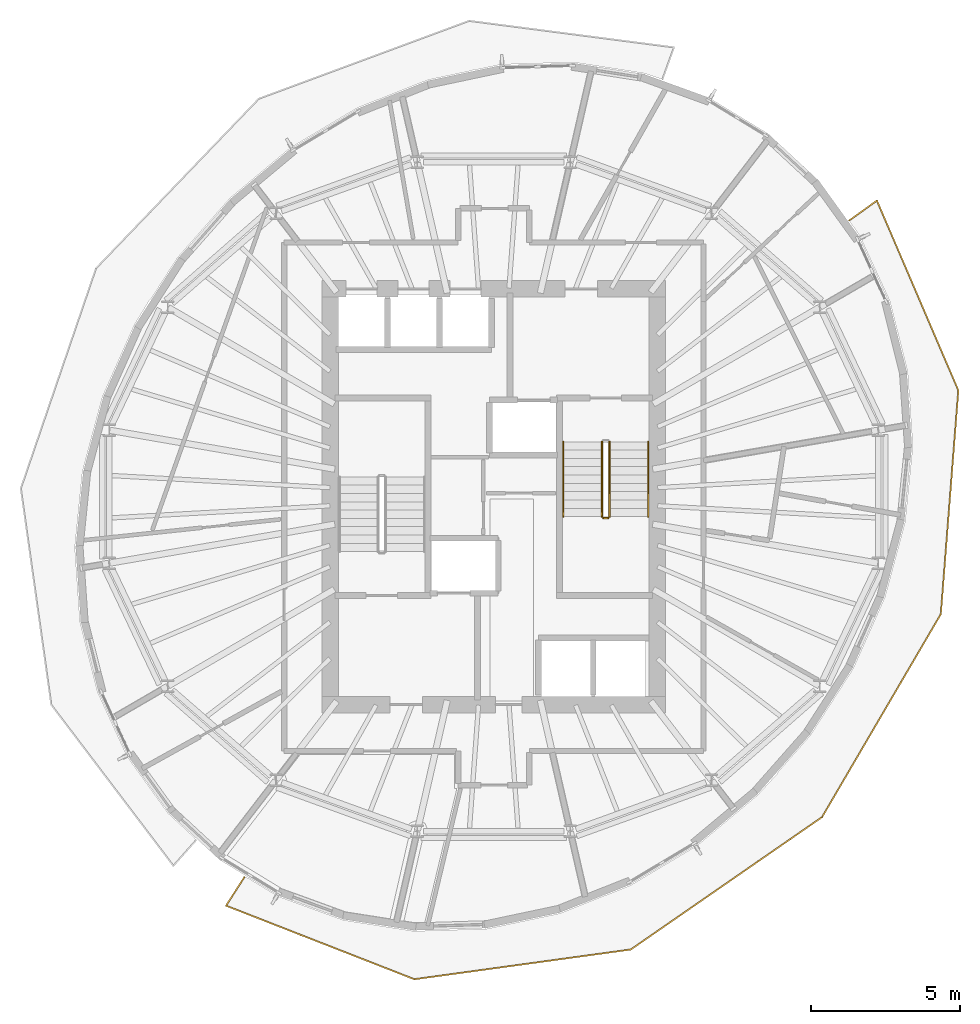
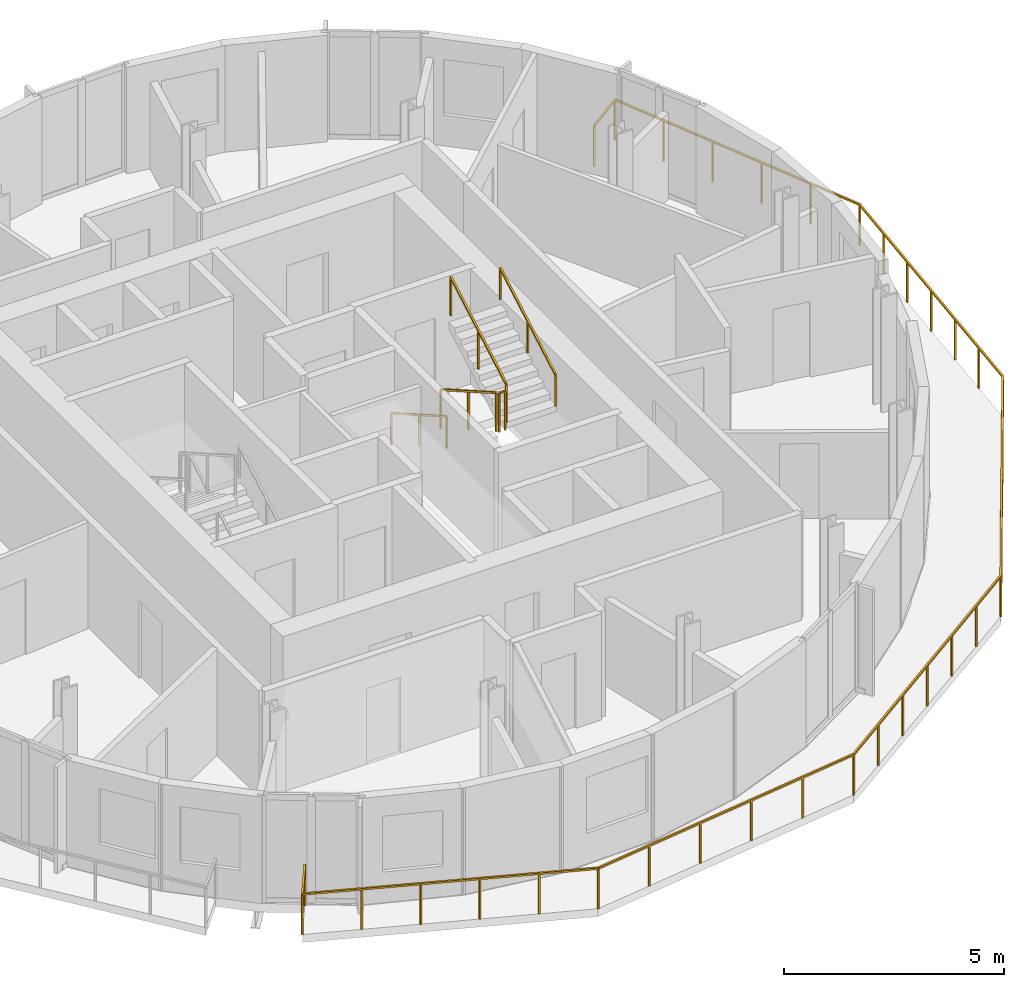
# One storey, part 9 of 11: 6 railings.
"""IFC4 building model written with IfcOpenShell, lengths in metres."""

from ifc_helpers import new_model, si_unit, direction, frame, origin, origin_2d, place, context, subcontext, project, spatial, rectangle, extrude, material, type_object, element, save


model = new_model("IFC4")

# Units and contexts
model_context = context("Model", 3, precision=1e-05, world=origin(), true_north=direction((0.0, 1.0)))
body_context = subcontext(model_context, "Body", "Model", "MODEL_VIEW")
ifc_project = project(units=[si_unit("LENGTHUNIT", "METRE"), si_unit("AREAUNIT", "SQUARE_METRE"), si_unit("VOLUMEUNIT", "CUBIC_METRE"), si_unit("PLANEANGLEUNIT", "RADIAN"), si_unit("MASSUNIT", "GRAM", prefix="KILO")], contexts=[model_context])

# Site, building, storey
site_placement = place(None, origin())
site = spatial("IfcSite", under=ifc_project, at=site_placement, CompositionType="ELEMENT")
building_placement = place(site_placement, origin())
building = spatial("IfcBuilding", under=site, at=building_placement, Name="Veldorim Arch Residences", CompositionType="ELEMENT")
storey_placement = place(building_placement, frame((0.0, 0.0, 211.0400390625)))
storey = spatial("IfcBuildingStorey", under=building, at=storey_placement, Name="L63", CompositionType="ELEMENT", Elevation=211.0400390625)

# Railings
ifc_material_1 = material(Name="Aluminium", Category="aluminium")
railing_type_1 = type_object("IfcRailingType", Name="Balcony & Terrace Laminated Glass Balustrade 1150", PredefinedType="BALUSTRADE", material=ifc_material_1)
railing_1_placement = place(storey_placement, frame((23.605712890625, 11.197509765625, 0.0)))
element("IfcRailing", 1, at=railing_1_placement, inside=storey, type_object=railing_type_1, Name="L63 crescent balcony safety balustrade B", PredefinedType="BALUSTRADE", context=body_context, shape_type="SweptSolid", body=[
    extrude(rectangle(XDim=0.048095703125, YDim=0.048095703125, at=origin_2d()), frame((0.0, 0.0, 1.1259765625), z_axis=(-0.539866721339, -0.84175051125, 0.0), x_axis=(0.84175051125, -0.539866721339, 0.0)), (0.0, 0.0, 1.0), 1.14990234375),
    extrude(rectangle(XDim=0.048095703125, YDim=0.048095703125, at=origin_2d()), frame((-0.620849609375, -0.968017578125, 1.1259765625), z_axis=(0.931436271677, -0.363904481705, 0.0), x_axis=(0.363904481705, 0.931436271677, 0.0)), (0.0, 0.0, 1.0), 6.808837890625),
    extrude(rectangle(XDim=0.048095703125, YDim=0.048095703125, at=origin_2d()), frame((5.72119140625, -3.44580078125, 1.1259765625), z_axis=(0.990686843164, 0.136160121847, 0.0), x_axis=(-0.136160121847, 0.990686843164, 0.0)), (0.0, 0.0, 1.0), 7.35693359375),
    extrude(rectangle(XDim=0.048095703125, YDim=0.048095703125, at=origin_2d()), frame((13.009521484375, -2.444091796875, 1.1259765625), z_axis=(0.822191069367, 0.569211599893, 0.0), x_axis=(-0.569211599893, 0.822191069367, 0.0)), (0.0, 0.0, 1.0), 7.83154296875),
    extrude(rectangle(XDim=0.048095703125, YDim=0.048095703125, at=origin_2d()), frame((19.448486328125, 2.013671875, 1.1259765625), z_axis=(0.505007263039, 0.863115093297, 0.0), x_axis=(-0.863115093297, 0.505007263039, 0.0)), (0.0, 0.0, 1.0), 7.919189453125),
    extrude(rectangle(XDim=0.048095703125, YDim=0.048095703125, at=origin_2d()), frame((23.44775390625, 8.848876953125, 1.1259765625), z_axis=(0.078070336252, 0.9969478535, 0.0), x_axis=(-0.9969478535, 0.078070336252, 0.0)), (0.0, 0.0, 1.0), 7.55517578125),
    extrude(rectangle(XDim=0.048095703125, YDim=0.048095703125, at=origin_2d()), frame((24.03759765625, 16.381103515625, 1.1259765625), z_axis=(-0.39431319437, 0.918976117614, 0.0), x_axis=(-0.918976117614, -0.39431319437, 0.0)), (0.0, 0.0, 1.0), 6.956298828125),
    extrude(rectangle(XDim=0.048095703125, YDim=0.048095703125, at=origin_2d()), frame((21.294677734375, 22.773681640625, 1.1259765625), z_axis=(-0.811965053518, -0.583706049194, 0.0), x_axis=(0.583706049194, -0.811965053518, 0.0)), (0.0, 0.0, 1.0), 1.14990234375),
    extrude(rectangle(XDim=0.0419921875, YDim=0.0419921875, at=origin_2d()), origin(), (0.0, 0.0, 1.0), 1.101806640625),
    extrude(rectangle(XDim=0.0419921875, YDim=0.0419921875, at=origin_2d()), frame((-0.620849609375, -0.968017578125, 0.0)), (0.0, 0.0, 1.0), 1.101806640625),
    extrude(rectangle(XDim=0.0419921875, YDim=0.0419921875, at=origin_2d()), frame((0.6474609375, -1.463623046875, 0.0)), (0.0, 0.0, 1.0), 1.101806640625),
    extrude(rectangle(XDim=0.0419921875, YDim=0.0419921875, at=origin_2d()), frame((1.916015625, -1.959228515625, 0.0)), (0.0, 0.0, 1.0), 1.101806640625),
    extrude(rectangle(XDim=0.0419921875, YDim=0.0419921875, at=origin_2d()), frame((3.184326171875, -2.45458984375, 0.0)), (0.0, 0.0, 1.0), 1.101806640625),
    extrude(rectangle(XDim=0.0419921875, YDim=0.0419921875, at=origin_2d()), frame((4.452880859375, -2.9501953125, 0.0)), (0.0, 0.0, 1.0), 1.101806640625),
    extrude(rectangle(XDim=0.0419921875, YDim=0.0419921875, at=origin_2d()), frame((5.72119140625, -3.44580078125, 0.0)), (0.0, 0.0, 1.0), 1.101806640625),
    extrude(rectangle(XDim=0.0419921875, YDim=0.0419921875, at=origin_2d()), frame((7.178955078125, -3.245361328125, 0.0)), (0.0, 0.0, 1.0), 1.101806640625),
    extrude(rectangle(XDim=0.0419921875, YDim=0.0419921875, at=origin_2d()), frame((8.636474609375, -3.045166015625, 0.0)), (0.0, 0.0, 1.0), 1.101806640625),
    extrude(rectangle(XDim=0.0419921875, YDim=0.0419921875, at=origin_2d()), frame((10.09423828125, -2.8447265625, 0.0)), (0.0, 0.0, 1.0), 1.101806640625),
    extrude(rectangle(XDim=0.0419921875, YDim=0.0419921875, at=origin_2d()), frame((11.5517578125, -2.64453125, 0.0)), (0.0, 0.0, 1.0), 1.101806640625),
    extrude(rectangle(XDim=0.0419921875, YDim=0.0419921875, at=origin_2d()), frame((13.009521484375, -2.444091796875, 0.0)), (0.0, 0.0, 1.0), 1.101806640625),
    extrude(rectangle(XDim=0.0419921875, YDim=0.0419921875, at=origin_2d()), frame((14.082763671875, -1.701171875, 0.0)), (0.0, 0.0, 1.0), 1.101806640625),
    extrude(rectangle(XDim=0.0419921875, YDim=0.0419921875, at=origin_2d()), frame((15.15576171875, -0.958251953125, 0.0)), (0.0, 0.0, 1.0), 1.101806640625),
    extrude(rectangle(XDim=0.0419921875, YDim=0.0419921875, at=origin_2d()), frame((16.22900390625, -0.21533203125, 0.0)), (0.0, 0.0, 1.0), 1.101806640625),
    extrude(rectangle(XDim=0.0419921875, YDim=0.0419921875, at=origin_2d()), frame((17.30224609375, 0.52783203125, 0.0)), (0.0, 0.0, 1.0), 1.101806640625),
    extrude(rectangle(XDim=0.0419921875, YDim=0.0419921875, at=origin_2d()), frame((18.375244140625, 1.270751953125, 0.0)), (0.0, 0.0, 1.0), 1.101806640625),
    extrude(rectangle(XDim=0.0419921875, YDim=0.0419921875, at=origin_2d()), frame((19.448486328125, 2.013671875, 0.0)), (0.0, 0.0, 1.0), 1.101806640625),
    extrude(rectangle(XDim=0.0419921875, YDim=0.0419921875, at=origin_2d()), frame((20.114990234375, 3.15283203125, 0.0)), (0.0, 0.0, 1.0), 1.101806640625),
    extrude(rectangle(XDim=0.0419921875, YDim=0.0419921875, at=origin_2d()), frame((20.781494140625, 4.2919921875, 0.0)), (0.0, 0.0, 1.0), 1.101806640625),
    extrude(rectangle(XDim=0.0419921875, YDim=0.0419921875, at=origin_2d()), frame((21.4482421875, 5.43115234375, 0.0)), (0.0, 0.0, 1.0), 1.101806640625),
    extrude(rectangle(XDim=0.0419921875, YDim=0.0419921875, at=origin_2d()), frame((22.11474609375, 6.570556640625, 0.0)), (0.0, 0.0, 1.0), 1.101806640625),
    extrude(rectangle(XDim=0.0419921875, YDim=0.0419921875, at=origin_2d()), frame((22.78125, 7.709716796875, 0.0)), (0.0, 0.0, 1.0), 1.101806640625),
    extrude(rectangle(XDim=0.0419921875, YDim=0.0419921875, at=origin_2d()), frame((23.44775390625, 8.848876953125, 0.0)), (0.0, 0.0, 1.0), 1.101806640625),
    extrude(rectangle(XDim=0.0419921875, YDim=0.0419921875, at=origin_2d()), frame((23.546142578125, 10.104248046875, 0.0)), (0.0, 0.0, 1.0), 1.101806640625),
    extrude(rectangle(XDim=0.0419921875, YDim=0.0419921875, at=origin_2d()), frame((23.644287109375, 11.359619140625, 0.0)), (0.0, 0.0, 1.0), 1.101806640625),
    extrude(rectangle(XDim=0.0419921875, YDim=0.0419921875, at=origin_2d()), frame((23.74267578125, 12.614990234375, 0.0)), (0.0, 0.0, 1.0), 1.101806640625),
    extrude(rectangle(XDim=0.0419921875, YDim=0.0419921875, at=origin_2d()), frame((23.841064453125, 13.870361328125, 0.0)), (0.0, 0.0, 1.0), 1.101806640625),
    extrude(rectangle(XDim=0.0419921875, YDim=0.0419921875, at=origin_2d()), frame((23.939208984375, 15.125732421875, 0.0)), (0.0, 0.0, 1.0), 1.101806640625),
    extrude(rectangle(XDim=0.0419921875, YDim=0.0419921875, at=origin_2d()), frame((24.03759765625, 16.381103515625, 0.0)), (0.0, 0.0, 1.0), 1.101806640625),
    extrude(rectangle(XDim=0.0419921875, YDim=0.0419921875, at=origin_2d()), frame((23.489013671875, 17.65966796875, 0.0)), (0.0, 0.0, 1.0), 1.101806640625),
    extrude(rectangle(XDim=0.0419921875, YDim=0.0419921875, at=origin_2d()), frame((22.9404296875, 18.938232421875, 0.0)), (0.0, 0.0, 1.0), 1.101806640625),
    extrude(rectangle(XDim=0.0419921875, YDim=0.0419921875, at=origin_2d()), frame((22.391845703125, 20.216552734375, 0.0)), (0.0, 0.0, 1.0), 1.101806640625),
    extrude(rectangle(XDim=0.0419921875, YDim=0.0419921875, at=origin_2d()), frame((21.84326171875, 21.4951171875, 0.0)), (0.0, 0.0, 1.0), 1.101806640625),
    extrude(rectangle(XDim=0.0419921875, YDim=0.0419921875, at=origin_2d()), frame((21.294677734375, 22.773681640625, 0.0)), (0.0, 0.0, 1.0), 1.101806640625),
    extrude(rectangle(XDim=0.0419921875, YDim=0.0419921875, at=origin_2d()), frame((20.361083984375, 22.1025390625, 0.0)), (0.0, 0.0, 1.0), 1.101806640625),
])
ifc_material_2 = material(Name="Steel S355", Category="steel")
railing_type_2 = type_object("IfcRailingType", Name="Galvanised Steel Stair Safety Guardrail 1100", PredefinedType="GUARDRAIL", material=ifc_material_2)
railing_2_placement = place(storey_placement, frame((35.639892578125, 25.85009765625, 0.159912109375)))
element("IfcRailing", 2, at=railing_2_placement, inside=storey, type_object=railing_type_2, Name="L63 ST-2 stair guard 1", PredefinedType="GUARDRAIL", context=body_context, shape_type="SweptSolid", body=[
    extrude(rectangle(XDim=0.048095703125, YDim=0.048095703125, at=origin_2d()), frame((0.0, 0.0, 1.076171875), z_axis=(0.0, -0.868253494771, 0.496120820787), x_axis=(1.0, 0.0, 0.0)), (0.0, 0.0, 1.0), 2.90234375),
    extrude(rectangle(XDim=0.0419921875, YDim=0.0419921875, at=origin_2d()), origin(), (0.0, 0.0, 1.0), 1.052001953125),
    extrude(rectangle(XDim=0.0419921875, YDim=0.0419921875, at=origin_2d()), frame((0.0, -1.260009765625, 0.719970703125)), (0.0, 0.0, 1.0), 1.052001953125),
    extrude(rectangle(XDim=0.0419921875, YDim=0.0419921875, at=origin_2d()), frame((0.0, -2.52001953125, 1.43994140625)), (0.0, 0.0, 1.0), 1.052001953125),
])
railing_3_placement = place(storey_placement, frame((35.68994140625, 23.280029296875, 1.599853515625)))
element("IfcRailing", 3, at=railing_3_placement, inside=storey, type_object=railing_type_2, Name="L63 ST-2 stair guard 2", PredefinedType="GUARDRAIL", context=body_context, shape_type="SweptSolid", body=[
    extrude(rectangle(XDim=0.048095703125, YDim=0.048095703125, at=origin_2d()), frame((0.0, 0.0, 1.076171875), z_axis=(1.0, 0.0, 0.0), x_axis=(0.0, 1.0, 0.0)), (0.0, 0.0, 1.0), 0.16015625),
    extrude(rectangle(XDim=0.0419921875, YDim=0.0419921875, at=origin_2d()), origin(), (0.0, 0.0, 1.0), 1.052001953125),
    extrude(rectangle(XDim=0.0419921875, YDim=0.0419921875, at=origin_2d()), frame((0.16015625, 0.0, 0.0)), (0.0, 0.0, 1.0), 1.052001953125),
])
railing_4_placement = place(storey_placement, frame((35.89990234375, 23.330078125, 1.760009765625)))
element("IfcRailing", 4, at=railing_4_placement, inside=storey, type_object=railing_type_2, Name="L63 ST-2 stair guard 3", PredefinedType="GUARDRAIL", context=body_context, shape_type="SweptSolid", body=[
    extrude(rectangle(XDim=0.048095703125, YDim=0.048095703125, at=origin_2d()), frame((0.0, 0.0, 1.076171875), z_axis=(0.0, 0.868253494771, 0.496120820787), x_axis=(-1.0, 0.0, 0.0)), (0.0, 0.0, 1.0), 2.90234375),
    extrude(rectangle(XDim=0.0419921875, YDim=0.0419921875, at=origin_2d()), origin(), (0.0, 0.0, 1.0), 1.052001953125),
    extrude(rectangle(XDim=0.0419921875, YDim=0.0419921875, at=origin_2d()), frame((0.0, 1.260009765625, 0.719970703125)), (0.0, 0.0, 1.0), 1.052001953125),
    extrude(rectangle(XDim=0.0419921875, YDim=0.0419921875, at=origin_2d()), frame((0.0, 2.52001953125, 1.43994140625)), (0.0, 0.0, 1.0), 1.052001953125),
])
ifc_material_3 = material(Name="Stainless Steel", Category="steel")
railing_type_3 = type_object("IfcRailingType", Name="Tubular Steel Continuous Wall Handrail 900", PredefinedType="HANDRAIL", material=ifc_material_3)
railing_5_placement = place(storey_placement, frame((34.340087890625, 25.85009765625, 0.159912109375)))
element("IfcRailing", 5, at=railing_5_placement, inside=storey, type_object=railing_type_3, Name="L63 ST-2 stair handrail 1", PredefinedType="HANDRAIL", context=body_context, shape_type="SweptSolid", body=[
    extrude(rectangle(XDim=0.048095703125, YDim=0.048095703125, at=origin_2d()), frame((0.0, 0.0, 0.8759765625), z_axis=(0.0, -0.868253494771, 0.496120820787), x_axis=(1.0, 0.0, 0.0)), (0.0, 0.0, 1.0), 2.90234375),
    extrude(rectangle(XDim=0.0419921875, YDim=0.0419921875, at=origin_2d()), origin(), (0.0, 0.0, 1.0), 0.851806640625),
    extrude(rectangle(XDim=0.0419921875, YDim=0.0419921875, at=origin_2d()), frame((0.0, -1.260009765625, 0.719970703125)), (0.0, 0.0, 1.0), 0.851806640625),
    extrude(rectangle(XDim=0.0419921875, YDim=0.0419921875, at=origin_2d()), frame((0.0, -2.52001953125, 1.43994140625)), (0.0, 0.0, 1.0), 0.851806640625),
])
railing_6_placement = place(storey_placement, frame((37.199951171875, 23.330078125, 1.760009765625)))
element("IfcRailing", 6, at=railing_6_placement, inside=storey, type_object=railing_type_3, Name="L63 ST-2 stair handrail 2", PredefinedType="HANDRAIL", context=body_context, shape_type="SweptSolid", body=[
    extrude(rectangle(XDim=0.048095703125, YDim=0.048095703125, at=origin_2d()), frame((0.0, 0.0, 0.8759765625), z_axis=(0.0, 0.868253494771, 0.496120820787), x_axis=(-1.0, 0.0, 0.0)), (0.0, 0.0, 1.0), 2.90234375),
    extrude(rectangle(XDim=0.0419921875, YDim=0.0419921875, at=origin_2d()), origin(), (0.0, 0.0, 1.0), 0.851806640625),
    extrude(rectangle(XDim=0.0419921875, YDim=0.0419921875, at=origin_2d()), frame((0.0, 1.260009765625, 0.719970703125)), (0.0, 0.0, 1.0), 0.851806640625),
    extrude(rectangle(XDim=0.0419921875, YDim=0.0419921875, at=origin_2d()), frame((0.0, 2.52001953125, 1.43994140625)), (0.0, 0.0, 1.0), 0.851806640625),
])

save(model, "model.ifc")
